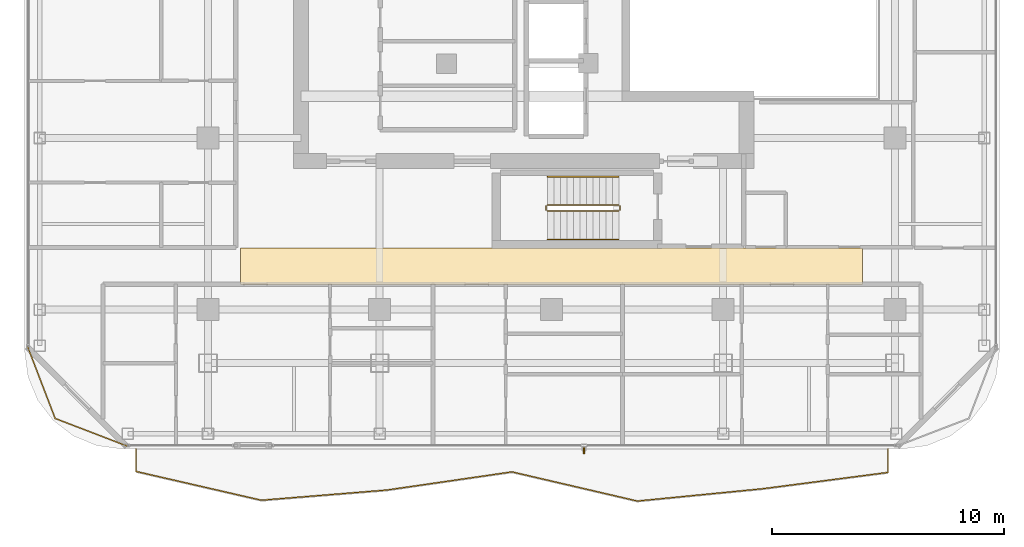
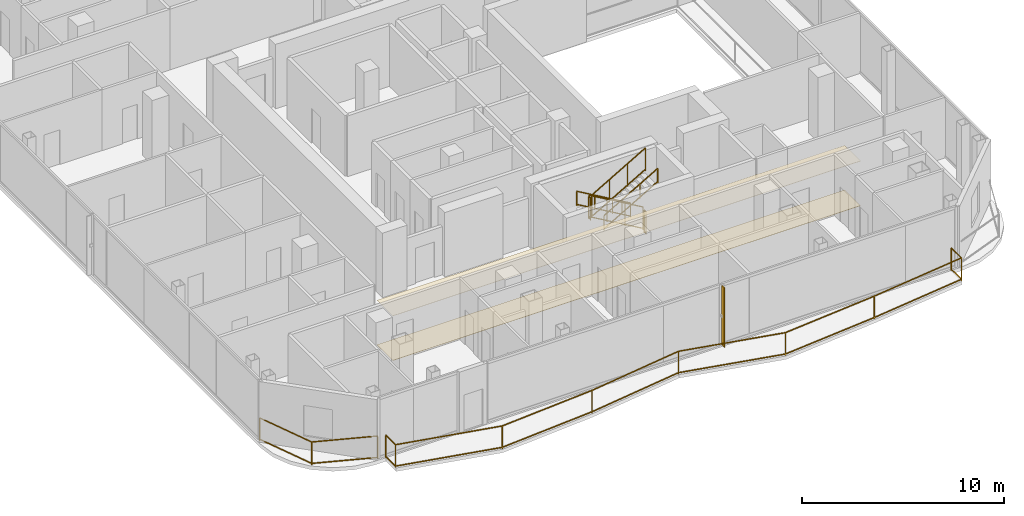
# One storey, part 22 of 26: 8 railings, 2 coverings, 1 shading device.
"""IFC4 building model written with IfcOpenShell, lengths in metres."""

from ifc_helpers import new_model, si_unit, direction, frame, origin, origin_2d, place, context, subcontext, project, spatial, polyline, rectangle, outline, extrude, material, layer, layer_set, type_object, element, save


model = new_model("IFC4")

# Units and contexts
model_context = context("Model", 3, precision=1e-05, world=origin(), true_north=direction((0.0, 1.0)))
body_context = subcontext(model_context, "Body", "Model", "MODEL_VIEW")
ifc_project = project(units=[si_unit("LENGTHUNIT", "METRE"), si_unit("AREAUNIT", "SQUARE_METRE"), si_unit("VOLUMEUNIT", "CUBIC_METRE"), si_unit("PLANEANGLEUNIT", "RADIAN"), si_unit("MASSUNIT", "GRAM", prefix="KILO")], contexts=[model_context])

# Site, building, storey
site_placement = place(None, origin())
site = spatial("IfcSite", under=ifc_project, at=site_placement, CompositionType="ELEMENT")
building_placement = place(site_placement, origin())
building = spatial("IfcBuilding", under=site, at=building_placement, Name="Khorvyn Point Tower", CompositionType="ELEMENT")
storey_placement = place(building_placement, frame((0.0, 0.0, 289.800048828125)))
storey = spatial("IfcBuildingStorey", under=building, at=storey_placement, Name="L71", CompositionType="ELEMENT", Elevation=289.800048828125)

# Railings
ifc_material_1 = material(Name="Anodised aluminium 6063-T6 and laminated safety glass", Category="aluminium")
railing_type_1 = type_object("IfcRailingType", Name="Laminated Glass and Aluminium Balcony Guardrail 1400", PredefinedType="BALUSTRADE", material=ifc_material_1)
railing_1_placement = place(storey_placement, frame((-22.574462890625, -16.386474609375, 0.0)))
element("IfcRailing", 1, at=railing_1_placement, inside=storey, type_object=railing_type_1, Name="L71 Rounded Corner Edge Guardrail SW", PredefinedType="BALUSTRADE", context=body_context, shape_type="SweptSolid", body=[
    extrude(rectangle(XDim=0.048095703125, YDim=0.048095703125, at=origin_2d()), frame((0.0, 0.0, 1.3759765625), z_axis=(0.358367799998, -0.933580483903, 0.0), x_axis=(0.933580483903, 0.358367799998, 0.0)), (0.0, 0.0, 1.0), 3.319091796875),
    extrude(rectangle(XDim=0.048095703125, YDim=0.048095703125, at=origin_2d()), frame((0.0, 0.0, 0.080078125), z_axis=(0.358367799998, -0.933580483903, 0.0), x_axis=(0.933580483903, 0.358367799998, 0.0)), (0.0, 0.0, 1.0), 3.319091796875),
    extrude(rectangle(XDim=0.048095703125, YDim=0.048095703125, at=origin_2d()), frame((1.189453125, -3.0986328125, 1.3759765625), z_axis=(0.933595647299, -0.358328295484, 0.0), x_axis=(0.358328295484, 0.933595647299, 0.0)), (0.0, 0.0, 1.0), 3.31884765625),
    extrude(rectangle(XDim=0.048095703125, YDim=0.048095703125, at=origin_2d()), frame((1.189453125, -3.0986328125, 0.080078125), z_axis=(0.933595647299, -0.358328295484, 0.0), x_axis=(0.358328295484, 0.933595647299, 0.0)), (0.0, 0.0, 1.0), 3.31884765625),
    extrude(rectangle(XDim=0.0419921875, YDim=0.0419921875, at=origin_2d()), origin(), (0.0, 0.0, 1.0), 1.351806640625),
    extrude(rectangle(XDim=0.0419921875, YDim=0.0419921875, at=origin_2d()), frame((1.189453125, -3.0986328125, 0.0)), (0.0, 0.0, 1.0), 1.351806640625),
    extrude(rectangle(XDim=0.0419921875, YDim=0.0419921875, at=origin_2d()), frame((4.287841796875, -4.287841796875, 0.0)), (0.0, 0.0, 1.0), 1.351806640625),
])
railing_2_placement = place(storey_placement, frame((-17.89990234375, -20.800048828125, 0.0)))
element("IfcRailing", 2, at=railing_2_placement, inside=storey, type_object=railing_type_1, Name="L71 South Balcony Guardrail", PredefinedType="BALUSTRADE", context=body_context, shape_type="SweptSolid", body=[
    extrude(rectangle(XDim=0.048095703125, YDim=0.048095703125, at=origin_2d()), frame((0.0, 0.0, 1.3759765625), z_axis=(0.0, -1.0, 0.0), x_axis=(1.0, 0.0, 0.0)), (0.0, 0.0, 1.0), 0.968017578125),
    extrude(rectangle(XDim=0.048095703125, YDim=0.048095703125, at=origin_2d()), frame((0.0, 0.0, 0.080078125), z_axis=(0.0, -1.0, 0.0), x_axis=(1.0, 0.0, 0.0)), (0.0, 0.0, 1.0), 0.968017578125),
    extrude(rectangle(XDim=0.048095703125, YDim=0.048095703125, at=origin_2d()), frame((0.0, -0.968017578125, 1.3759765625), z_axis=(0.974604637949, -0.223932578445, 0.0), x_axis=(0.223932578445, 0.974604637949, 0.0)), (0.0, 0.0, 1.0), 5.54052734375),
    extrude(rectangle(XDim=0.048095703125, YDim=0.048095703125, at=origin_2d()), frame((0.0, -0.968017578125, 0.080078125), z_axis=(0.974604637949, -0.223932578445, 0.0), x_axis=(0.223932578445, 0.974604637949, 0.0)), (0.0, 0.0, 1.0), 5.54052734375),
    extrude(rectangle(XDim=0.048095703125, YDim=0.048095703125, at=origin_2d()), frame((5.39990234375, -2.208740234375, 1.3759765625), z_axis=(0.996726693111, 0.080844908556, 0.0), x_axis=(-0.080844908556, 0.996726693111, 0.0)), (0.0, 0.0, 1.0), 5.417724609375),
    extrude(rectangle(XDim=0.048095703125, YDim=0.048095703125, at=origin_2d()), frame((5.39990234375, -2.208740234375, 0.080078125), z_axis=(0.996726693111, 0.080844908556, 0.0), x_axis=(-0.080844908556, 0.996726693111, 0.0)), (0.0, 0.0, 1.0), 5.417724609375),
    extrude(rectangle(XDim=0.048095703125, YDim=0.048095703125, at=origin_2d()), frame((10.7998046875, -1.770751953125, 1.3759765625), z_axis=(0.98964568276, 0.143531956702, 0.0), x_axis=(-0.143531956702, 0.98964568276, 0.0)), (0.0, 0.0, 1.0), 5.45654296875),
    extrude(rectangle(XDim=0.048095703125, YDim=0.048095703125, at=origin_2d()), frame((10.7998046875, -1.770751953125, 0.080078125), z_axis=(0.98964568276, 0.143531956702, 0.0), x_axis=(-0.143531956702, 0.98964568276, 0.0)), (0.0, 0.0, 1.0), 5.45654296875),
    extrude(rectangle(XDim=0.048095703125, YDim=0.048095703125, at=origin_2d()), frame((16.199951171875, -0.987548828125, 1.3759765625), z_axis=(0.973985880172, -0.226608705098, 0.0), x_axis=(0.226608705098, 0.973985880172, 0.0)), (0.0, 0.0, 1.0), 5.544189453125),
    extrude(rectangle(XDim=0.048095703125, YDim=0.048095703125, at=origin_2d()), frame((16.199951171875, -0.987548828125, 0.080078125), z_axis=(0.973985880172, -0.226608705098, 0.0), x_axis=(0.226608705098, 0.973985880172, 0.0)), (0.0, 0.0, 1.0), 5.544189453125),
    extrude(rectangle(XDim=0.048095703125, YDim=0.048095703125, at=origin_2d()), frame((21.599853515625, -2.243896484375, 1.3759765625), z_axis=(0.995226468805, 0.097592396168, 0.0), x_axis=(-0.097592396168, 0.995226468805, 0.0)), (0.0, 0.0, 1.0), 5.426025390625),
    extrude(rectangle(XDim=0.048095703125, YDim=0.048095703125, at=origin_2d()), frame((21.599853515625, -2.243896484375, 0.080078125), z_axis=(0.995226468805, 0.097592396168, 0.0), x_axis=(-0.097592396168, 0.995226468805, 0.0)), (0.0, 0.0, 1.0), 5.426025390625),
    extrude(rectangle(XDim=0.048095703125, YDim=0.048095703125, at=origin_2d()), frame((27.0, -1.71435546875, 1.3759765625), z_axis=(0.991634626797, 0.129076593297, 0.0), x_axis=(-0.129076593297, 0.991634626797, 0.0)), (0.0, 0.0, 1.0), 5.445556640625),
    extrude(rectangle(XDim=0.048095703125, YDim=0.048095703125, at=origin_2d()), frame((27.0, -1.71435546875, 0.080078125), z_axis=(0.991634626797, 0.129076593297, 0.0), x_axis=(-0.129076593297, 0.991634626797, 0.0)), (0.0, 0.0, 1.0), 5.445556640625),
    extrude(rectangle(XDim=0.048095703125, YDim=0.048095703125, at=origin_2d()), frame((32.39990234375, -1.011474609375, 1.3759765625), z_axis=(0.0, 1.0, 0.0), x_axis=(-1.0, 0.0, 0.0)), (0.0, 0.0, 1.0), 1.011474609375),
    extrude(rectangle(XDim=0.048095703125, YDim=0.048095703125, at=origin_2d()), frame((32.39990234375, -1.011474609375, 0.080078125), z_axis=(0.0, 1.0, 0.0), x_axis=(-1.0, 0.0, 0.0)), (0.0, 0.0, 1.0), 1.011474609375),
    extrude(rectangle(XDim=0.0419921875, YDim=0.0419921875, at=origin_2d()), origin(), (0.0, 0.0, 1.0), 1.351806640625),
    extrude(rectangle(XDim=0.0419921875, YDim=0.0419921875, at=origin_2d()), frame((0.0, -0.968017578125, 0.0)), (0.0, 0.0, 1.0), 1.351806640625),
    extrude(rectangle(XDim=0.0419921875, YDim=0.0419921875, at=origin_2d()), frame((5.39990234375, -2.208740234375, 0.0)), (0.0, 0.0, 1.0), 1.351806640625),
    extrude(rectangle(XDim=0.0419921875, YDim=0.0419921875, at=origin_2d()), frame((10.7998046875, -1.770751953125, 0.0)), (0.0, 0.0, 1.0), 1.351806640625),
    extrude(rectangle(XDim=0.0419921875, YDim=0.0419921875, at=origin_2d()), frame((16.199951171875, -0.987548828125, 0.0)), (0.0, 0.0, 1.0), 1.351806640625),
    extrude(rectangle(XDim=0.0419921875, YDim=0.0419921875, at=origin_2d()), frame((21.599853515625, -2.243896484375, 0.0)), (0.0, 0.0, 1.0), 1.351806640625),
    extrude(rectangle(XDim=0.0419921875, YDim=0.0419921875, at=origin_2d()), frame((27.0, -1.71435546875, 0.0)), (0.0, 0.0, 1.0), 1.351806640625),
    extrude(rectangle(XDim=0.0419921875, YDim=0.0419921875, at=origin_2d()), frame((32.39990234375, -1.011474609375, 0.0)), (0.0, 0.0, 1.0), 1.351806640625),
    extrude(rectangle(XDim=0.0419921875, YDim=0.0419921875, at=origin_2d()), frame((32.39990234375, 0.0, 0.0)), (0.0, 0.0, 1.0), 1.351806640625),
])

# Shading device
ifc_material_2 = material(Name="Pale anodised aluminium 6063-T6", Category="aluminium")
ifc_layer_1 = layer(ifc_material_2, 0.054931640625)
ifc_layer_set_1 = layer_set([ifc_layer_1], Name="Pale Anodised Aluminium FIN 260x55")
shading_device_type = type_object("IfcShadingDeviceType", Name="Pale Anodised Aluminium FIN 260x55", PredefinedType="USERDEFINED", material=ifc_layer_set_1)
shading_device_placement = place(storey_placement, frame((1.405029296875, -20.8701171875, 0.039794921875), z_axis=(0.0, 0.0, 1.0), x_axis=(0.0, -1.0, 0.0)))
element("IfcShadingDevice", 3, at=shading_device_placement, inside=storey, type_object=shading_device_type, Name="L71 Anodised FIN 01", ObjectType="FIN", PredefinedType="USERDEFINED", context=body_context, shape_type="SweptSolid", body=[
    extrude(rectangle(XDim=0.260009765625, YDim=0.054931640625, at=origin_2d()), origin(), (0.0, 0.0, 1.0), 3.60009765625),
])

# Coverings
ifc_material_3 = material(Name="Mineral-fibre acoustic ceiling board", Category="gypsum")
ifc_layer_2 = layer(ifc_material_3, 0.02001953125)
ifc_layer_set_2 = layer_set([ifc_layer_2], Name="Perforated Mineral-Fibre Acoustic Suspended Ceiling 20")
covering_type_1 = type_object("IfcCoveringType", Name="Perforated Mineral-Fibre Acoustic Suspended Ceiling 20", PredefinedType="CEILING", material=ifc_layer_set_2)
covering_1_placement = place(storey_placement, frame((0.0, 0.0, 2.699951171875)))
element("IfcCovering", 4, at=covering_1_placement, inside=storey, type_object=covering_type_1, Name="L71 South Corridor Acoustic Ceiling", PredefinedType="CEILING", context=body_context, shape_type="SweptSolid", body=[
    extrude(outline(polyline([(-13.39990234375, -13.7099609375), (13.39990234375, -13.7099609375), (13.39990234375, -12.139892578125), (-13.39990234375, -12.139892578125), (-13.39990234375, -13.7099609375)])), origin(), (0.0, 0.0, 1.0), 0.02001953125),
])
ifc_material_4 = material(Name="Vitrified porcelain terrazzo tile", Category="ceramic")
ifc_layer_3 = layer(ifc_material_4, 0.01806640625)
ifc_layer_set_3 = layer_set([ifc_layer_3], Name="Porcelain Terrazzo Corridor Floor Finish Tile 18")
covering_type_2 = type_object("IfcCoveringType", Name="Porcelain Terrazzo Corridor Floor Finish Tile 18", PredefinedType="FLOORING", material=ifc_layer_set_3)
covering_2_placement = place(storey_placement, origin())
element("IfcCovering", 5, at=covering_2_placement, inside=storey, type_object=covering_type_2, Name="L71 South Corridor Terrazzo Flooring", PredefinedType="FLOORING", context=body_context, shape_type="SweptSolid", body=[
    extrude(outline(polyline([(-13.39990234375, -13.7099609375), (13.39990234375, -13.7099609375), (13.39990234375, -12.139892578125), (-13.39990234375, -12.139892578125), (-13.39990234375, -13.7099609375)])), origin(), (0.0, 0.0, 1.0), 0.01806640625),
])

# Railings
ifc_material_5 = material(Name="Stainless steel 1.4301", Category="steel")
railing_type_2 = type_object("IfcRailingType", Name="Stainless Steel 304 Stair Pitch Handrail 900", PredefinedType="HANDRAIL", material=ifc_material_5)
railing_3_placement = place(storey_placement, frame((2.89990234375, -9.070068359375, 0.162353515625)))
element("IfcRailing", 6, at=railing_3_placement, inside=storey, type_object=railing_type_2, Name="L71 ST-01 stair handrail 1", PredefinedType="HANDRAIL", context=body_context, shape_type="SweptSolid", body=[
    extrude(rectangle(XDim=0.048095703125, YDim=0.048095703125, at=origin_2d()), frame((0.0, 0.0, 0.8759765625), z_axis=(-0.864873446163, 0.0, 0.501989962173), x_axis=(0.0, -1.0, 0.0)), (0.0, 0.0, 1.0), 3.56103515625),
    extrude(rectangle(XDim=0.048095703125, YDim=0.048095703125, at=origin_2d()), frame((0.0, 0.0, 0.080078125), z_axis=(-0.864873446163, 0.0, 0.501989962173), x_axis=(0.0, -1.0, 0.0)), (0.0, 0.0, 1.0), 3.56103515625),
    extrude(rectangle(XDim=0.0419921875, YDim=0.0419921875, at=origin_2d()), origin(), (0.0, 0.0, 1.0), 0.851806640625),
    extrude(rectangle(XDim=0.0419921875, YDim=0.0419921875, at=origin_2d()), frame((-1.026611328125, 0.0, 0.595947265625)), (0.0, 0.0, 1.0), 0.851806640625),
    extrude(rectangle(XDim=0.0419921875, YDim=0.0419921875, at=origin_2d()), frame((-2.05322265625, 0.0, 1.191650390625)), (0.0, 0.0, 1.0), 0.851806640625),
    extrude(rectangle(XDim=0.0419921875, YDim=0.0419921875, at=origin_2d()), frame((-3.079833984375, 0.0, 1.78759765625)), (0.0, 0.0, 1.0), 0.851806640625),
])
railing_4_placement = place(storey_placement, frame((-0.179931640625, -11.77001953125, 2.112548828125)))
element("IfcRailing", 7, at=railing_4_placement, inside=storey, type_object=railing_type_2, Name="L71 ST-01 stair handrail 2", PredefinedType="HANDRAIL", context=body_context, shape_type="SweptSolid", body=[
    extrude(rectangle(XDim=0.048095703125, YDim=0.048095703125, at=origin_2d()), frame((0.0, 0.0, 0.8759765625), z_axis=(0.864903211148, 0.0, 0.501938676878), x_axis=(0.0, 1.0, 0.0)), (0.0, 0.0, 1.0), 3.560791015625),
    extrude(rectangle(XDim=0.048095703125, YDim=0.048095703125, at=origin_2d()), frame((0.0, 0.0, 0.080078125), z_axis=(0.864903211148, 0.0, 0.501938676878), x_axis=(0.0, 1.0, 0.0)), (0.0, 0.0, 1.0), 3.560791015625),
    extrude(rectangle(XDim=0.0419921875, YDim=0.0419921875, at=origin_2d()), origin(), (0.0, 0.0, 1.0), 0.851806640625),
    extrude(rectangle(XDim=0.0419921875, YDim=0.0419921875, at=origin_2d()), frame((1.026611328125, 0.0, 0.595703125)), (0.0, 0.0, 1.0), 0.851806640625),
    extrude(rectangle(XDim=0.0419921875, YDim=0.0419921875, at=origin_2d()), frame((2.05322265625, 0.0, 1.191650390625)), (0.0, 0.0, 1.0), 0.851806640625),
    extrude(rectangle(XDim=0.0419921875, YDim=0.0419921875, at=origin_2d()), frame((3.079833984375, 0.0, 1.787353515625)), (0.0, 0.0, 1.0), 0.851806640625),
])
railing_type_3 = type_object("IfcRailingType", Name="Stainless Steel 304 Stair Well Guardrail 1400", PredefinedType="GUARDRAIL", material=ifc_material_5)
railing_5_placement = place(storey_placement, frame((2.89990234375, -10.2900390625, 0.162353515625)))
element("IfcRailing", 8, at=railing_5_placement, inside=storey, type_object=railing_type_3, Name="L71 ST-01 stair guard 1", PredefinedType="GUARDRAIL", context=body_context, shape_type="SweptSolid", body=[
    extrude(rectangle(XDim=0.048095703125, YDim=0.048095703125, at=origin_2d()), frame((0.0, 0.0, 1.3759765625), z_axis=(-0.864873446163, 0.0, 0.501989962173), x_axis=(0.0, -1.0, 0.0)), (0.0, 0.0, 1.0), 3.56103515625),
    extrude(rectangle(XDim=0.048095703125, YDim=0.048095703125, at=origin_2d()), frame((0.0, 0.0, 0.080078125), z_axis=(-0.864873446163, 0.0, 0.501989962173), x_axis=(0.0, -1.0, 0.0)), (0.0, 0.0, 1.0), 3.56103515625),
    extrude(rectangle(XDim=0.0419921875, YDim=0.0419921875, at=origin_2d()), origin(), (0.0, 0.0, 1.0), 1.351806640625),
    extrude(rectangle(XDim=0.0419921875, YDim=0.0419921875, at=origin_2d()), frame((-1.026611328125, 0.0, 0.595947265625)), (0.0, 0.0, 1.0), 1.351806640625),
    extrude(rectangle(XDim=0.0419921875, YDim=0.0419921875, at=origin_2d()), frame((-2.05322265625, 0.0, 1.191650390625)), (0.0, 0.0, 1.0), 1.351806640625),
    extrude(rectangle(XDim=0.0419921875, YDim=0.0419921875, at=origin_2d()), frame((-3.079833984375, 0.0, 1.78759765625)), (0.0, 0.0, 1.0), 1.351806640625),
])
railing_6_placement = place(storey_placement, frame((-0.22998046875, -10.340087890625, 1.949951171875)))
element("IfcRailing", 9, at=railing_6_placement, inside=storey, type_object=railing_type_3, Name="L71 ST-01 stair guard 2", PredefinedType="GUARDRAIL", context=body_context, shape_type="SweptSolid", body=[
    extrude(rectangle(XDim=0.048095703125, YDim=0.048095703125, at=origin_2d()), frame((0.0, 0.0, 1.3759765625), z_axis=(0.0, -1.0, 0.0), x_axis=(1.0, 0.0, 0.0)), (0.0, 0.0, 1.0), 0.159912109375),
    extrude(rectangle(XDim=0.048095703125, YDim=0.048095703125, at=origin_2d()), frame((0.0, 0.0, 0.080078125), z_axis=(0.0, -1.0, 0.0), x_axis=(1.0, 0.0, 0.0)), (0.0, 0.0, 1.0), 0.159912109375),
    extrude(rectangle(XDim=0.0419921875, YDim=0.0419921875, at=origin_2d()), origin(), (0.0, 0.0, 1.0), 1.351806640625),
    extrude(rectangle(XDim=0.0419921875, YDim=0.0419921875, at=origin_2d()), frame((0.0, -0.159912109375, 0.0)), (0.0, 0.0, 1.0), 1.351806640625),
])
railing_7_placement = place(storey_placement, frame((-0.179931640625, -10.550048828125, 2.112548828125)))
element("IfcRailing", 10, at=railing_7_placement, inside=storey, type_object=railing_type_3, Name="L71 ST-01 stair guard 3", PredefinedType="GUARDRAIL", context=body_context, shape_type="SweptSolid", body=[
    extrude(rectangle(XDim=0.048095703125, YDim=0.048095703125, at=origin_2d()), frame((0.0, 0.0, 1.3759765625), z_axis=(0.864903211148, 0.0, 0.501938676878), x_axis=(0.0, 1.0, 0.0)), (0.0, 0.0, 1.0), 3.560791015625),
    extrude(rectangle(XDim=0.048095703125, YDim=0.048095703125, at=origin_2d()), frame((0.0, 0.0, 0.080078125), z_axis=(0.864903211148, 0.0, 0.501938676878), x_axis=(0.0, 1.0, 0.0)), (0.0, 0.0, 1.0), 3.560791015625),
    extrude(rectangle(XDim=0.0419921875, YDim=0.0419921875, at=origin_2d()), origin(), (0.0, 0.0, 1.0), 1.351806640625),
    extrude(rectangle(XDim=0.0419921875, YDim=0.0419921875, at=origin_2d()), frame((1.026611328125, 0.0, 0.595703125)), (0.0, 0.0, 1.0), 1.351806640625),
    extrude(rectangle(XDim=0.0419921875, YDim=0.0419921875, at=origin_2d()), frame((2.05322265625, 0.0, 1.191650390625)), (0.0, 0.0, 1.0), 1.351806640625),
    extrude(rectangle(XDim=0.0419921875, YDim=0.0419921875, at=origin_2d()), frame((3.079833984375, 0.0, 1.787353515625)), (0.0, 0.0, 1.0), 1.351806640625),
])
railing_8_placement = place(storey_placement, frame((2.949951171875, -10.340087890625, 0.0)))
element("IfcRailing", 11, at=railing_8_placement, inside=storey, type_object=railing_type_3, Name="L71 ST-01 stair guard 4", PredefinedType="GUARDRAIL", context=body_context, shape_type="SweptSolid", body=[
    extrude(rectangle(XDim=0.048095703125, YDim=0.048095703125, at=origin_2d()), frame((0.0, 0.0, 1.3759765625), z_axis=(0.0, -1.0, 0.0), x_axis=(1.0, 0.0, 0.0)), (0.0, 0.0, 1.0), 0.159912109375),
    extrude(rectangle(XDim=0.048095703125, YDim=0.048095703125, at=origin_2d()), frame((0.0, 0.0, 0.080078125), z_axis=(0.0, -1.0, 0.0), x_axis=(1.0, 0.0, 0.0)), (0.0, 0.0, 1.0), 0.159912109375),
    extrude(rectangle(XDim=0.0419921875, YDim=0.0419921875, at=origin_2d()), origin(), (0.0, 0.0, 1.0), 1.351806640625),
    extrude(rectangle(XDim=0.0419921875, YDim=0.0419921875, at=origin_2d()), frame((0.0, -0.159912109375, 0.0)), (0.0, 0.0, 1.0), 1.351806640625),
])

save(model, "model.ifc")
